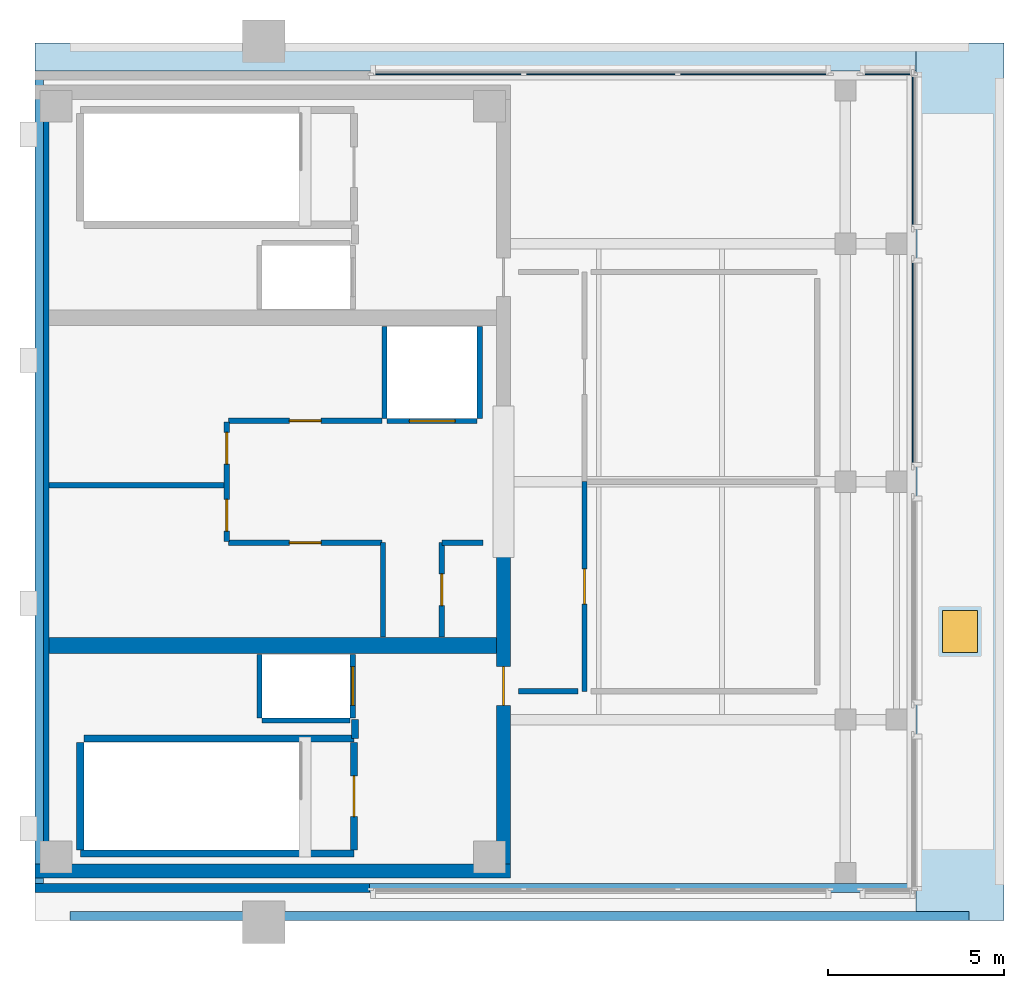
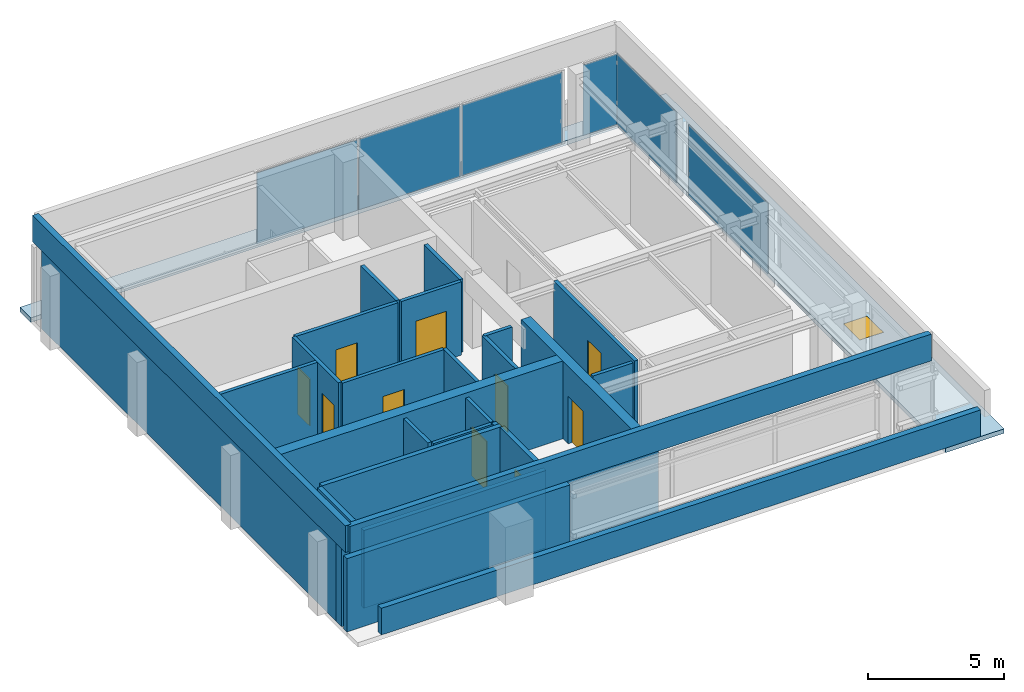
# One storey, part 3 of 5: 28 walls, 10 doors, 6 plates, 2 slabs, 1 window, 11 openings, 4 elements without a shape of their own.
"""IFC4 building model written with IfcOpenShell, lengths in metres."""

from ifc_helpers import new_model, si_unit, direction, frame, frame_2d, origin, origin_2d, place, context, subcontext, project, spatial, polyline, rectangle, outline, extrude, material, layer, layer_set, type_object, element, fill, aggregate, save


model = new_model("IFC4")

# Units and contexts
model_context = context("Model", 3, precision=1e-05, world=origin(), true_north=direction((0.0, 1.0)))
body_context = subcontext(model_context, "Body", "Model", "MODEL_VIEW")
ifc_project = project(units=[si_unit("LENGTHUNIT", "METRE"), si_unit("AREAUNIT", "SQUARE_METRE"), si_unit("VOLUMEUNIT", "CUBIC_METRE"), si_unit("PLANEANGLEUNIT", "RADIAN"), si_unit("MASSUNIT", "GRAM", prefix="KILO")], contexts=[model_context])

# Site, building, storey
site_placement = place(None, origin())
site = spatial("IfcSite", under=ifc_project, at=site_placement, CompositionType="ELEMENT")
building_placement = place(site_placement, origin())
building = spatial("IfcBuilding", under=site, at=building_placement, Name="Kinhvarn Gate Tower", CompositionType="ELEMENT")
storey_placement = place(building_placement, frame((0.0, 0.0, 321.550048828125)))
storey = spatial("IfcBuildingStorey", under=building, at=storey_placement, Name="L85", CompositionType="ELEMENT", Elevation=321.550048828125)

# Curtain wall, plate
ifc_material_1 = material(Name="Anodised aluminium AW-6063", Category="aluminium")
ifc_layer_1 = layer(ifc_material_1, 0.199951171875)
ifc_layer_set_1 = layer_set([ifc_layer_1], Name="Anodised aluminium AW-6063")
curtain_wall_type = type_object("IfcCurtainWallType", Name="CW-SYS-6", PredefinedType="NOTDEFINED", material=ifc_layer_set_1)
curtain_wall_1_placement = place(storey_placement, origin())
curtain_wall_1 = element("IfcCurtainWall", 1, at=curtain_wall_1_placement, inside=storey, type_object=curtain_wall_type, Name="Curtain Wall CW6 (L85)", PredefinedType="NOTDEFINED")
ifc_material_2 = material(Name="Clear low-e double glazing", Category="glass")
ifc_layer_2 = layer(ifc_material_2, 0.031982421875)
ifc_layer_set_2 = layer_set([ifc_layer_2], Name="Clear low-e double glazing")
plate_type = type_object("IfcPlateType", Name="CW-PNL-VIS", PredefinedType="CURTAIN_PANEL", material=ifc_layer_set_2)
plate_1_placement = place(storey_placement, frame((28.68994140625, 36.81005859375, 0.06494140625), z_axis=(0.0, 0.0, 1.0), x_axis=(-1.0, 0.0, 0.0)))
plate_1 = element("IfcPlate", 2, at=plate_1_placement, type_object=plate_type, Name="CW6 panel 1.1", PredefinedType="CURTAIN_PANEL", context=body_context, shape_type="SweptSolid", body=[
    extrude(rectangle(XDim=1.489990234375, YDim=0.031982421875, at=origin_2d()), origin(), (0.0, 0.0, 1.0), 3.169921875),
])
aggregate(curtain_wall_1, [plate_1])

# Curtain wall, plates
curtain_wall_2_placement = place(storey_placement, origin())
curtain_wall_2 = element("IfcCurtainWall", 3, at=curtain_wall_2_placement, inside=storey, type_object=curtain_wall_type, Name="Curtain Wall CW6 (L85)", PredefinedType="NOTDEFINED")
plate_2_placement = place(storey_placement, frame((24.9169921875, 36.81005859375, 0.06494140625), z_axis=(0.0, 0.0, 1.0), x_axis=(-1.0, 0.0, 0.0)))
plate_2 = element("IfcPlate", 4, at=plate_2_placement, type_object=plate_type, Name="CW6 panel 1.1", PredefinedType="CURTAIN_PANEL", context=body_context, shape_type="SweptSolid", body=[
    extrude(rectangle(XDim=4.27587890625, YDim=0.031982421875, at=origin_2d()), origin(), (0.0, 0.0, 1.0), 3.169921875),
])
plate_3_placement = place(storey_placement, frame((20.56005859375, 36.81005859375, 0.06494140625), z_axis=(0.0, 0.0, 1.0), x_axis=(-1.0, 0.0, 0.0)))
plate_3 = element("IfcPlate", 5, at=plate_3_placement, type_object=plate_type, Name="CW6 panel 2.1", PredefinedType="CURTAIN_PANEL", context=body_context, shape_type="SweptSolid", body=[
    extrude(rectangle(XDim=4.308349609375, YDim=0.031982421875, at=origin_2d()), origin(), (0.0, 0.0, 1.0), 3.169921875),
])
plate_4_placement = place(storey_placement, frame((16.202880859375, 36.81005859375, 0.06494140625), z_axis=(0.0, 0.0, 1.0), x_axis=(-1.0, 0.0, 0.0)))
plate_4 = element("IfcPlate", 6, at=plate_4_placement, type_object=plate_type, Name="CW6 panel 3.1", PredefinedType="CURTAIN_PANEL", context=body_context, shape_type="SweptSolid", body=[
    extrude(rectangle(XDim=4.27587890625, YDim=0.031982421875, at=origin_2d()), origin(), (0.0, 0.0, 1.0), 3.169921875),
])
aggregate(curtain_wall_2, [plate_2, plate_3, plate_4])

# Curtain wall, plate
curtain_wall_3_placement = place(storey_placement, origin())
curtain_wall_3 = element("IfcCurtainWall", 7, at=curtain_wall_3_placement, inside=storey, type_object=curtain_wall_type, Name="Curtain Wall CW6 (L85)", PredefinedType="NOTDEFINED")
plate_5_placement = place(storey_placement, frame((29.409912109375, 28.625, 0.06494140625), z_axis=(0.0, 0.0, 1.0), x_axis=(0.0, 1.0, 0.0)))
plate_5 = element("IfcPlate", 8, at=plate_5_placement, type_object=plate_type, Name="CW6 panel 1.1", PredefinedType="CURTAIN_PANEL", context=body_context, shape_type="SweptSolid", body=[
    extrude(rectangle(XDim=5.860107421875, YDim=0.031982421875, at=origin_2d()), origin(), (0.0, 0.0, 1.0), 3.169921875),
])
aggregate(curtain_wall_3, [plate_5])

curtain_wall_4_placement = place(storey_placement, origin())
curtain_wall_4 = element("IfcCurtainWall", 9, at=curtain_wall_4_placement, inside=storey, type_object=curtain_wall_type, Name="Curtain Wall CW6 (L85)", PredefinedType="NOTDEFINED")
plate_6_placement = place(storey_placement, frame((29.409912109375, 34.639892578125, 0.06494140625), z_axis=(0.0, 0.0, 1.0), x_axis=(0.0, 1.0, 0.0)))
plate_6 = element("IfcPlate", 10, at=plate_6_placement, type_object=plate_type, Name="CW6 panel 1.1", PredefinedType="CURTAIN_PANEL", context=body_context, shape_type="SweptSolid", body=[
    extrude(rectangle(XDim=4.389892578125, YDim=0.031982421875, at=origin_2d()), origin(), (0.0, 0.0, 1.0), 3.169921875),
])
aggregate(curtain_wall_4, [plate_6])

# Slab, opening, window
ifc_material_3 = material(Name="Concrete C50/60", Category="concrete")
ifc_layer_3 = layer(ifc_material_3, 0.199951171875)
ifc_layer_set_3 = layer_set([ifc_layer_3], Name="Concrete C50/60")
slab_type = type_object("IfcSlabType", Name="SLB-ROOF-200", PredefinedType="ROOF", material=ifc_layer_set_3)
slab_1_placement = place(storey_placement, frame((0.0, 0.0, -0.199951171875)))
slab_1 = element("IfcSlab", 11, at=slab_1_placement, inside=storey, type_object=slab_type, Name="Stepped Crown Ledge Roof Slab L85-E", PredefinedType="ROOF", context=body_context, shape_type="SweptSolid", body=[
    extrude(outline(polyline([(29.5, 12.800048828125), (29.5, 37.699951171875), (32.0, 37.699951171875), (32.0, 12.800048828125), (29.5, 12.800048828125)])), origin(), (0.0, 0.0, 1.0), 0.199951171875),
])
opening_1_placement = place(slab_1_placement, frame((30.75, 21.0, -0.010009765625)))
opening_1 = element("IfcOpeningElement", 12, at=opening_1_placement, cuts=slab_1, Name="Opening RH-01", PredefinedType="OPENING", context=body_context, shape_type="SweptSolid", body=[
    extrude(rectangle(XDim=1.0, YDim=1.199951171875, at=origin_2d()), origin(), (0.0, 0.0, 1.0), 0.219970703125),
])
window_type = type_object("IfcWindowType", Name="WIN-SKL-1200", PartitioningType="SINGLE_PANEL", PredefinedType="SKYLIGHT", material=ifc_material_2)
window_placement = place(slab_1_placement, frame((30.75, 21.0, 0.14990234375)))
window = element("IfcWindow", 13, at=window_placement, inside=storey, type_object=window_type, Name="Crown Ledge Maintenance Skylight Hatch RH-01 (L85)", OverallHeight=1.199951171875, OverallWidth=1.0, PartitioningType="SINGLE_PANEL", PredefinedType="SKYLIGHT", context=body_context, shape_type="SweptSolid", body=[
    extrude(rectangle(XDim=1.0, YDim=1.199951171875, at=origin_2d()), origin(), (0.0, 0.0, 1.0), 0.050048828125),
])
fill(opening_1, window)

# Slab
slab_2_placement = place(storey_placement, frame((0.0, 0.0, -0.199951171875)))
element("IfcSlab", 14, at=slab_2_placement, inside=storey, type_object=slab_type, Name="Stepped Crown Ledge Roof Slab L85-N", PredefinedType="ROOF", context=body_context, shape_type="SweptSolid", body=[
    extrude(outline(polyline([(29.5, 37.699951171875), (29.5, 36.89990234375), (4.5, 36.89990234375), (4.5, 37.699951171875), (29.5, 37.699951171875)])), origin(), (0.0, 0.0, 1.0), 0.199951171875),
])

# Wall
ifc_layer_4 = layer(ifc_material_3, 0.39990234375)
ifc_layer_set_4 = layer_set([ifc_layer_4], Name="Concrete C50/60")
wall_type_1 = type_object("IfcWallType", Name="WL-CORE-400", PredefinedType="SHEAR", material=ifc_layer_set_4)
wall_1_placement = place(storey_placement, frame((4.5, 14.199951171875, 0.0), z_axis=(0.0, 0.0, 1.0), x_axis=(1.0, 0.0, 0.0)))
element("IfcWall", 15, at=wall_1_placement, inside=storey, type_object=wall_type_1, Name="Core South Shear Wall L85 400 mm", PredefinedType="SHEAR", context=body_context, shape_type="SweptSolid", body=[
    extrude(rectangle(XDim=13.5, YDim=0.39990234375, at=frame_2d((6.75, 0.0))), origin(), (0.0, 0.0, 1.0), 3.5),
])

# Wall, opening, door
wall_2_placement = place(storey_placement, frame((17.800048828125, 14.39990234375, 0.0), z_axis=(0.0, 0.0, 1.0), x_axis=(0.0, 1.0, 0.0)))
wall_2 = element("IfcWall", 16, at=wall_2_placement, inside=storey, type_object=wall_type_1, Name="Core East-South Shear Pier L85 400 mm", PredefinedType="SHEAR", context=body_context, shape_type="SweptSolid", body=[
    extrude(rectangle(XDim=9.050048828125, YDim=0.39990234375, at=frame_2d((4.52490234375, 0.0))), origin(), (0.0, 0.0, 1.0), 3.5),
])
opening_2_placement = place(wall_2_placement, frame((4.5, 0.0, 0.0)))
opening_2 = element("IfcOpeningElement", 17, at=opening_2_placement, cuts=wall_2, Name="Opening FD-02", PredefinedType="OPENING", context=body_context, shape_type="SweptSolid", body=[
    extrude(rectangle(XDim=1.10009765625, YDim=2.14990234375, at=frame_2d((0.550048828125, 1.074951171875))), frame((0.0, 0.2099609375, 0.0), z_axis=(0.0, -1.0, 0.0), x_axis=(1.0, 0.0, 0.0)), (0.0, 0.0, 1.0), 0.419921875),
])
door_type_1 = type_object("IfcDoorType", Name="DR-FD-1100", OperationType="NOTDEFINED", PredefinedType="DOOR", material=ifc_material_1)
door_1_placement = place(opening_2_placement, origin())
door_1 = element("IfcDoor", 18, at=door_1_placement, inside=storey, type_object=door_type_1, Name="Firefighting Lobby Core Door (L85)", OperationType="SINGLE_SWING_RIGHT", OverallHeight=2.14990234375, OverallWidth=1.10009765625, PredefinedType="DOOR", context=body_context, shape_type="SweptSolid", body=[
    extrude(rectangle(XDim=1.10009765625, YDim=2.14990234375, at=frame_2d((0.550048828125, 1.074951171875))), frame((0.0, 0.02490234375, 0.0), z_axis=(0.0, -1.0, 0.0), x_axis=(1.0, 0.0, 0.0)), (0.0, 0.0, 1.0), 0.050048828125),
])
fill(opening_2, door_1)

# Walls
ifc_layer_5 = layer(ifc_material_3, 0.449951171875)
ifc_layer_set_5 = layer_set([ifc_layer_5], Name="Concrete C50/60")
wall_type_2 = type_object("IfcWallType", Name="WL-CORE-450", PredefinedType="SHEAR", material=ifc_layer_set_5)
wall_3_placement = place(storey_placement, frame((4.89990234375, 20.60009765625, 0.0), z_axis=(0.0, 0.0, 1.0), x_axis=(1.0, 0.0, 0.0)))
element("IfcWall", 19, at=wall_3_placement, inside=storey, type_object=wall_type_2, Name="Core South Spine Shear Wall L85 450 mm", PredefinedType="SHEAR", context=body_context, shape_type="SweptSolid", body=[
    extrude(rectangle(XDim=12.7001953125, YDim=0.449951171875, at=frame_2d((6.35009765625, 0.0))), origin(), (0.0, 0.0, 1.0), 3.5),
])
ifc_layer_6 = layer(ifc_material_3, 0.39990234375)
ifc_layer_set_6 = layer_set([ifc_layer_6], Name="Concrete C50/60")
wall_type_3 = type_object("IfcWallType", Name="WL-COREX-400", PredefinedType="SHEAR", material=ifc_layer_set_6)
wall_4_placement = place(storey_placement, frame((4.699951171875, 14.39990234375, 0.0), z_axis=(0.0, 0.0, 1.0), x_axis=(0.0, 1.0, 0.0)))
element("IfcWall", 20, at=wall_4_placement, inside=storey, type_object=wall_type_3, Name="Core West Shear Wall L85 400 mm", PredefinedType="SHEAR", context=body_context, shape_type="SweptSolid", body=[
    extrude(rectangle(XDim=21.7001953125, YDim=0.39990234375, at=frame_2d((10.85009765625, 0.0))), origin(), (0.0, 0.0, 1.0), 3.5),
])
ifc_material_4 = material(Name="Fired architectural terracotta", Category="masonry")
ifc_layer_7 = layer(ifc_material_4, 0.25)
ifc_layer_set_7 = layer_set([ifc_layer_7], Name="Fired architectural terracotta")
wall_type_4 = type_object("IfcWallType", Name="WL-EXT-250", PredefinedType="SOLIDWALL", material=ifc_layer_set_7)
wall_5_placement = place(storey_placement, frame((4.5, 13.72509765625, 0.0), z_axis=(0.0, 0.0, 1.0), x_axis=(1.0, 0.0, 0.0)))
element("IfcWall", 21, at=wall_5_placement, inside=storey, type_object=wall_type_4, Name="Exterior Solidwall Wall EW-250 (L85 Crown-Core-S)", PredefinedType="SOLIDWALL", context=body_context, shape_type="SweptSolid", body=[
    extrude(rectangle(XDim=9.5, YDim=0.25, at=frame_2d((4.75, 0.0))), origin(), (0.0, 0.0, 1.0), 3.300048828125),
])
ifc_layer_8 = layer(ifc_material_4, 0.25)
ifc_layer_set_8 = layer_set([ifc_layer_8], Name="Fired architectural terracotta")
wall_type_5 = type_object("IfcWallType", Name="WL-PAR-250", PredefinedType="PARAPET", material=ifc_layer_set_8)
wall_6_placement = place(storey_placement, frame((5.5, 12.925048828125, 0.0), z_axis=(0.0, 0.0, 1.0), x_axis=(1.0, 0.0, 0.0)))
element("IfcWall", 22, at=wall_6_placement, inside=storey, type_object=wall_type_5, Name="Exterior Parapet Wall PRW-250 (L85 Crown-Step-Parapet-S)", PredefinedType="PARAPET", context=body_context, shape_type="SweptSolid", body=[
    extrude(rectangle(XDim=25.5, YDim=0.25, at=frame_2d((12.75, 0.0))), origin(), (0.0, 0.0, 1.0), 1.199951171875),
])
wall_7_placement = place(storey_placement, frame((4.625, 36.77490234375, 3.5), z_axis=(0.0, 0.0, 1.0), x_axis=(0.0, -1.0, 0.0)))
element("IfcWall", 23, at=wall_7_placement, inside=storey, type_object=wall_type_5, Name="Exterior Parapet Wall PRW-250 (L85 RF-Parapet-W)", PredefinedType="PARAPET", context=body_context, shape_type="SweptSolid", body=[
    extrude(rectangle(XDim=23.0498046875, YDim=0.25, at=frame_2d((11.52490234375, 0.0))), origin(), (0.0, 0.0, 1.0), 1.199951171875),
])
wall_8_placement = place(storey_placement, frame((4.625, 13.72509765625, 3.5), z_axis=(0.0, 0.0, 1.0), x_axis=(1.0, 0.0, 0.0)))
element("IfcWall", 24, at=wall_8_placement, inside=storey, type_object=wall_type_5, Name="Exterior Parapet Wall PRW-250 (L85 RF-Parapet-S)", PredefinedType="PARAPET", context=body_context, shape_type="SweptSolid", body=[
    extrude(rectangle(XDim=24.75, YDim=0.25, at=frame_2d((12.375, 0.0))), origin(), (0.0, 0.0, 1.0), 1.199951171875),
])
ifc_material_5 = material(Name="Gypsum acoustic partition board")
ifc_layer_9 = layer(ifc_material_5, 0.14990234375)
ifc_layer_set_9 = layer_set([ifc_layer_9], Name="Gypsum acoustic partition board")
wall_type_6 = type_object("IfcWallType", Name="WL-PRT-150F", PredefinedType="PARTITIONING", material=ifc_layer_set_9)
wall_9_placement = place(storey_placement, frame((4.89990234375, 25.14990234375, 0.0), z_axis=(0.0, 0.0, 1.0), x_axis=(1.0, 0.0, 0.0)))
element("IfcWall", 25, at=wall_9_placement, inside=storey, type_object=wall_type_6, Name="Interior Partition PW-150F (L85)", PredefinedType="PARTITIONING", context=body_context, shape_type="SweptSolid", body=[
    extrude(rectangle(XDim=5.050048828125, YDim=0.14990234375, at=frame_2d((2.52490234375, 0.0))), origin(), (0.0, 0.0, 1.0), 3.300048828125),
])

# Wall, openings, doors
wall_10_placement = place(storey_placement, frame((9.949951171875, 23.550048828125, 0.0), z_axis=(0.0, 0.0, 1.0), x_axis=(0.0, 1.0, 0.0)))
wall_10 = element("IfcWall", 26, at=wall_10_placement, inside=storey, type_object=wall_type_6, Name="Interior Partition PW-150F (L85)", PredefinedType="PARTITIONING", context=body_context, shape_type="SweptSolid", body=[
    extrude(rectangle(XDim=3.39990234375, YDim=0.14990234375, at=frame_2d((1.699951171875, 0.0))), origin(), (0.0, 0.0, 1.0), 3.300048828125),
])
opening_3_placement = place(wall_10_placement, frame((0.298095703125, 0.0, 0.0)))
opening_3 = element("IfcOpeningElement", 27, at=opening_3_placement, cuts=wall_10, Name="Opening FD-04", PredefinedType="OPENING", context=body_context, shape_type="SweptSolid", body=[
    extrude(rectangle(XDim=0.89990234375, YDim=2.10009765625, at=frame_2d((0.449951171875, 1.050048828125))), frame((0.0, 0.0849609375, 0.0), z_axis=(0.0, -1.0, 0.0), x_axis=(1.0, 0.0, 0.0)), (0.0, 0.0, 1.0), 0.169921875),
])
opening_4_placement = place(wall_10_placement, frame((2.201904296875, 0.0, 0.0)))
opening_4 = element("IfcOpeningElement", 28, at=opening_4_placement, cuts=wall_10, Name="Opening FD-04", PredefinedType="OPENING", context=body_context, shape_type="SweptSolid", body=[
    extrude(rectangle(XDim=0.89990234375, YDim=2.10009765625, at=frame_2d((0.449951171875, 1.050048828125))), frame((0.0, 0.0849609375, 0.0), z_axis=(0.0, -1.0, 0.0), x_axis=(1.0, 0.0, 0.0)), (0.0, 0.0, 1.0), 0.169921875),
])
door_type_2 = type_object("IfcDoorType", Name="DR-FD-900", OperationType="NOTDEFINED", PredefinedType="DOOR", material=ifc_material_1)
door_2_placement = place(opening_3_placement, origin())
door_2 = element("IfcDoor", 29, at=door_2_placement, inside=storey, type_object=door_type_2, Name="Rated Riser & Service Closet Fire Door 900x2100 mm (L85)", OperationType="SINGLE_SWING_LEFT", OverallHeight=2.10009765625, OverallWidth=0.89990234375, PredefinedType="DOOR", context=body_context, shape_type="SweptSolid", body=[
    extrude(rectangle(XDim=0.89990234375, YDim=2.10009765625, at=frame_2d((0.449951171875, 1.050048828125))), frame((0.0, 0.02490234375, 0.0), z_axis=(0.0, -1.0, 0.0), x_axis=(1.0, 0.0, 0.0)), (0.0, 0.0, 1.0), 0.050048828125),
])
fill(opening_3, door_2)
door_3_placement = place(opening_4_placement, origin())
door_3 = element("IfcDoor", 30, at=door_3_placement, inside=storey, type_object=door_type_2, Name="Rated Riser & Service Closet Fire Door 900x2100 mm (L85)", OperationType="SINGLE_SWING_RIGHT", OverallHeight=2.10009765625, OverallWidth=0.89990234375, PredefinedType="DOOR", context=body_context, shape_type="SweptSolid", body=[
    extrude(rectangle(XDim=0.89990234375, YDim=2.10009765625, at=frame_2d((0.449951171875, 1.050048828125))), frame((0.0, 0.02490234375, 0.0), z_axis=(0.0, -1.0, 0.0), x_axis=(1.0, 0.0, 0.0)), (0.0, 0.0, 1.0), 0.050048828125),
])
fill(opening_4, door_3)

# Wall, opening, door
wall_11_placement = place(storey_placement, frame((10.0, 23.52001953125, 0.0), z_axis=(0.0, 0.0, 1.0), x_axis=(1.0, 0.0, 0.0)))
wall_11 = element("IfcWall", 31, at=wall_11_placement, inside=storey, type_object=wall_type_6, Name="Interior Partition PW-150F (L85)", PredefinedType="PARTITIONING", context=body_context, shape_type="SweptSolid", body=[
    extrude(rectangle(XDim=4.35009765625, YDim=0.14990234375, at=frame_2d((2.175048828125, 0.0))), origin(), (0.0, 0.0, 1.0), 3.300048828125),
])
opening_5_placement = place(wall_11_placement, frame((1.72509765625, 0.0, 0.0)))
opening_5 = element("IfcOpeningElement", 32, at=opening_5_placement, cuts=wall_11, Name="Opening FD-04", PredefinedType="OPENING", context=body_context, shape_type="SweptSolid", body=[
    extrude(rectangle(XDim=0.89990234375, YDim=2.10009765625, at=frame_2d((0.449951171875, 1.050048828125))), frame((0.0, 0.0849609375, 0.0), z_axis=(0.0, -1.0, 0.0), x_axis=(1.0, 0.0, 0.0)), (0.0, 0.0, 1.0), 0.169921875),
])
door_4_placement = place(opening_5_placement, origin())
door_4 = element("IfcDoor", 33, at=door_4_placement, inside=storey, type_object=door_type_2, Name="Rated Riser & Service Closet Fire Door 900x2100 mm (L85)", OperationType="SINGLE_SWING_LEFT", OverallHeight=2.10009765625, OverallWidth=0.89990234375, PredefinedType="DOOR", context=body_context, shape_type="SweptSolid", body=[
    extrude(rectangle(XDim=0.89990234375, YDim=2.10009765625, at=frame_2d((0.449951171875, 1.050048828125))), frame((0.0, 0.02490234375, 0.0), z_axis=(0.0, -1.0, 0.0), x_axis=(1.0, 0.0, 0.0)), (0.0, 0.0, 1.0), 0.050048828125),
])
fill(opening_5, door_4)

wall_12_placement = place(storey_placement, frame((10.0, 26.97998046875, 0.0), z_axis=(0.0, 0.0, 1.0), x_axis=(1.0, 0.0, 0.0)))
wall_12 = element("IfcWall", 34, at=wall_12_placement, inside=storey, type_object=wall_type_6, Name="Interior Partition PW-150F (L85)", PredefinedType="PARTITIONING", context=body_context, shape_type="SweptSolid", body=[
    extrude(rectangle(XDim=4.35009765625, YDim=0.14990234375, at=frame_2d((2.175048828125, 0.0))), origin(), (0.0, 0.0, 1.0), 3.300048828125),
])
opening_6_placement = place(wall_12_placement, frame((1.72509765625, 0.0, 0.0)))
opening_6 = element("IfcOpeningElement", 35, at=opening_6_placement, cuts=wall_12, Name="Opening FD-04", PredefinedType="OPENING", context=body_context, shape_type="SweptSolid", body=[
    extrude(rectangle(XDim=0.89990234375, YDim=2.10009765625, at=frame_2d((0.449951171875, 1.050048828125))), frame((0.0, 0.0849609375, 0.0), z_axis=(0.0, -1.0, 0.0), x_axis=(1.0, 0.0, 0.0)), (0.0, 0.0, 1.0), 0.169921875),
])
door_5_placement = place(opening_6_placement, origin())
door_5 = element("IfcDoor", 36, at=door_5_placement, inside=storey, type_object=door_type_2, Name="Rated Riser & Service Closet Fire Door 900x2100 mm (L85)", OperationType="SINGLE_SWING_RIGHT", OverallHeight=2.10009765625, OverallWidth=0.89990234375, PredefinedType="DOOR", context=body_context, shape_type="SweptSolid", body=[
    extrude(rectangle(XDim=0.89990234375, YDim=2.10009765625, at=frame_2d((0.449951171875, 1.050048828125))), frame((0.0, 0.02490234375, 0.0), z_axis=(0.0, -1.0, 0.0), x_axis=(1.0, 0.0, 0.0)), (0.0, 0.0, 1.0), 0.050048828125),
])
fill(opening_6, door_5)

# Wall
wall_13_placement = place(storey_placement, frame((14.3798828125, 20.85009765625, 0.0), z_axis=(0.0, 0.0, 1.0), x_axis=(0.0, 1.0, 0.0)))
element("IfcWall", 37, at=wall_13_placement, inside=storey, type_object=wall_type_6, Name="Interior Partition PW-150F (L85)", PredefinedType="PARTITIONING", context=body_context, shape_type="SweptSolid", body=[
    extrude(rectangle(XDim=2.669921875, YDim=0.14990234375, at=frame_2d((1.3349609375, 0.0))), origin(), (0.0, 0.0, 1.0), 3.300048828125),
])

# Wall, opening, door
wall_14_placement = place(storey_placement, frame((16.050048828125, 20.85009765625, 0.0), z_axis=(0.0, 0.0, 1.0), x_axis=(0.0, 1.0, 0.0)))
wall_14 = element("IfcWall", 38, at=wall_14_placement, inside=storey, type_object=wall_type_6, Name="Interior Partition PW-150F (L85)", PredefinedType="PARTITIONING", context=body_context, shape_type="SweptSolid", body=[
    extrude(rectangle(XDim=2.669921875, YDim=0.14990234375, at=frame_2d((1.3349609375, 0.0))), origin(), (0.0, 0.0, 1.0), 3.300048828125),
])
opening_7_placement = place(wall_14_placement, frame((0.885009765625, 0.0, 0.0)))
opening_7 = element("IfcOpeningElement", 39, at=opening_7_placement, cuts=wall_14, Name="Opening FD-04", PredefinedType="OPENING", context=body_context, shape_type="SweptSolid", body=[
    extrude(rectangle(XDim=0.89990234375, YDim=2.10009765625, at=frame_2d((0.449951171875, 1.050048828125))), frame((0.0, 0.0849609375, 0.0), z_axis=(0.0, -1.0, 0.0), x_axis=(1.0, 0.0, 0.0)), (0.0, 0.0, 1.0), 0.169921875),
])
door_6_placement = place(opening_7_placement, origin())
door_6 = element("IfcDoor", 40, at=door_6_placement, inside=storey, type_object=door_type_2, Name="Rated Riser & Service Closet Fire Door 900x2100 mm (L85)", OperationType="SINGLE_SWING_LEFT", OverallHeight=2.10009765625, OverallWidth=0.89990234375, PredefinedType="DOOR", context=body_context, shape_type="SweptSolid", body=[
    extrude(rectangle(XDim=0.89990234375, YDim=2.10009765625, at=frame_2d((0.449951171875, 1.050048828125))), frame((0.0, 0.02490234375, 0.0), z_axis=(0.0, -1.0, 0.0), x_axis=(1.0, 0.0, 0.0)), (0.0, 0.0, 1.0), 0.050048828125),
])
fill(opening_7, door_6)

# Wall
wall_15_placement = place(storey_placement, frame((16.050048828125, 23.52001953125, 0.0), z_axis=(0.0, 0.0, 1.0), x_axis=(1.0, 0.0, 0.0)))
element("IfcWall", 41, at=wall_15_placement, inside=storey, type_object=wall_type_6, Name="Interior Partition PW-150F (L85)", PredefinedType="PARTITIONING", context=body_context, shape_type="SweptSolid", body=[
    extrude(rectangle(XDim=1.169921875, YDim=0.14990234375, at=frame_2d((0.5849609375, 0.0))), origin(), (0.0, 0.0, 1.0), 3.300048828125),
])

# Wall, opening, door
wall_16_placement = place(storey_placement, frame((20.10009765625, 19.300048828125, 0.0), z_axis=(0.0, 0.0, 1.0), x_axis=(0.0, 1.0, 0.0)))
wall_16 = element("IfcWall", 42, at=wall_16_placement, inside=storey, type_object=wall_type_6, Name="Interior Partition PW-150F (L85)", PredefinedType="PARTITIONING", context=body_context, shape_type="SweptSolid", body=[
    extrude(rectangle(XDim=5.949951171875, YDim=0.14990234375, at=frame_2d((2.97509765625, 0.0))), origin(), (0.0, 0.0, 1.0), 3.300048828125),
])
opening_8_placement = place(wall_16_placement, frame((2.47509765625, 0.0, 0.0)))
opening_8 = element("IfcOpeningElement", 43, at=opening_8_placement, cuts=wall_16, Name="Opening FD-03", PredefinedType="OPENING", context=body_context, shape_type="SweptSolid", body=[
    extrude(rectangle(XDim=1.0, YDim=2.14990234375, at=frame_2d((0.5, 1.074951171875))), frame((0.0, 0.0849609375, 0.0), z_axis=(0.0, -1.0, 0.0), x_axis=(1.0, 0.0, 0.0)), (0.0, 0.0, 1.0), 0.169921875),
])
door_type_3 = type_object("IfcDoorType", Name="DR-FD-1000", OperationType="NOTDEFINED", PredefinedType="DOOR", material=ifc_material_1)
door_7_placement = place(opening_8_placement, origin())
door_7 = element("IfcDoor", 44, at=door_7_placement, inside=storey, type_object=door_type_3, Name="Rated Plant & Corridor Fire Door 1000x2150 mm (L85)", OperationType="SINGLE_SWING_RIGHT", OverallHeight=2.14990234375, OverallWidth=1.0, PredefinedType="DOOR", context=body_context, shape_type="SweptSolid", body=[
    extrude(rectangle(XDim=1.0, YDim=2.14990234375, at=frame_2d((0.5, 1.074951171875))), frame((0.0, 0.02490234375, 0.0), z_axis=(0.0, -1.0, 0.0), x_axis=(1.0, 0.0, 0.0)), (0.0, 0.0, 1.0), 0.050048828125),
])
fill(opening_8, door_7)

# Walls
wall_17_placement = place(storey_placement, frame((19.919921875, 19.300048828125, 0.0), z_axis=(0.0, 0.0, 1.0), x_axis=(-1.0, 0.0, 0.0)))
element("IfcWall", 45, at=wall_17_placement, inside=storey, type_object=wall_type_6, Name="Interior Partition PW-150F (L85)", PredefinedType="PARTITIONING", context=body_context, shape_type="SweptSolid", body=[
    extrude(rectangle(XDim=1.699951171875, YDim=0.14990234375, at=frame_2d((0.85009765625, 0.0))), origin(), (0.0, 0.0, 1.0), 3.300048828125),
])
ifc_layer_10 = layer(ifc_material_5, 0.199951171875)
ifc_layer_set_10 = layer_set([ifc_layer_10], Name="Gypsum acoustic partition board")
wall_type_7 = type_object("IfcWallType", Name="WL-PRT-200", PredefinedType="PARTITIONING", material=ifc_layer_set_10)
wall_18_placement = place(storey_placement, frame((13.580078125, 17.9599609375, 0.0), z_axis=(0.0, 0.0, 1.0), x_axis=(0.0, 1.0, 0.0)))
element("IfcWall", 46, at=wall_18_placement, inside=storey, type_object=wall_type_7, Name="Interior Partition PW-200 (L85)", PredefinedType="PARTITIONING", context=body_context, shape_type="SweptSolid", body=[
    extrude(rectangle(XDim=0.5400390625, YDim=0.199951171875, at=frame_2d((0.27001953125, 0.0))), origin(), (0.0, 0.0, 1.0), 3.300048828125),
])

# Wall, opening, door
ifc_layer_11 = layer(ifc_material_5, 0.14990234375)
ifc_layer_set_11 = layer_set([ifc_layer_11], Name="Gypsum acoustic partition board")
wall_type_8 = type_object("IfcWallType", Name="WL-SHF-150", PredefinedType="PARTITIONING", material=ifc_layer_set_11)
wall_19_placement = place(storey_placement, frame((14.5, 26.97509765625, 0.0), z_axis=(0.0, 0.0, 1.0), x_axis=(1.0, 0.0, 0.0)))
wall_19 = element("IfcWall", 47, at=wall_19_placement, inside=storey, type_object=wall_type_8, Name="Elevator SV-01 Landing Wall (L85)", PredefinedType="PARTITIONING", context=body_context, shape_type="SweptSolid", body=[
    extrude(rectangle(XDim=2.550048828125, YDim=0.14990234375, at=frame_2d((1.27490234375, 0.0))), origin(), (0.0, 0.0, 1.0), 3.300048828125),
])
opening_9_placement = place(wall_19_placement, frame((0.625, 0.0, 0.0)))
opening_9 = element("IfcOpeningElement", 48, at=opening_9_placement, cuts=wall_19, Name="Opening LD-02", PredefinedType="OPENING", context=body_context, shape_type="SweptSolid", body=[
    extrude(rectangle(XDim=1.300048828125, YDim=2.199951171875, at=frame_2d((0.64990234375, 1.10009765625))), frame((0.0, 0.0849609375, 0.0), z_axis=(0.0, -1.0, 0.0), x_axis=(1.0, 0.0, 0.0)), (0.0, 0.0, 1.0), 0.169921875),
])
door_type_4 = type_object("IfcDoorType", Name="DR-LND-SRV", OperationType="NOTDEFINED", PredefinedType="DOOR", material=ifc_material_1)
door_8_placement = place(opening_9_placement, origin())
door_8 = element("IfcDoor", 49, at=door_8_placement, inside=storey, type_object=door_type_4, Name="Elevator SV-01 Sliding Landing Door (L85)", OperationType="DOUBLE_DOOR_SLIDING", OverallHeight=2.199951171875, OverallWidth=1.300048828125, PredefinedType="DOOR", context=body_context, shape_type="SweptSolid", body=[
    extrude(rectangle(XDim=1.300048828125, YDim=2.199951171875, at=frame_2d((0.64990234375, 1.10009765625))), frame((0.0, 0.02490234375, 0.0), z_axis=(0.0, -1.0, 0.0), x_axis=(1.0, 0.0, 0.0)), (0.0, 0.0, 1.0), 0.050048828125),
])
fill(opening_9, door_8)

# Walls
for number, where, z_axis, x_axis, name in (
    (50, (14.425048828125, 27.050048828125, 0.0), (0.0, 0.0, 1.0), (0.0, 1.0, 0.0), "Elevator SV-01 Hoistway Wall W (L85)"),
    (51, (17.125, 27.050048828125, 0.0), (0.0, 0.0, 1.0), (0.0, 1.0, 0.0), "Elevator SV-01 Hoistway Wall E (L85)"),
):
    element("IfcWall", number, at=place(storey_placement, frame(where, z_axis=z_axis, x_axis=x_axis)), inside=storey, type_object=wall_type_8, Name=name, PredefinedType="PARTITIONING", context=body_context, shape_type="SweptSolid", body=[
        extrude(rectangle(XDim=2.599853515625, YDim=0.14990234375, at=frame_2d((1.2998046875, 0.0))), origin(), (0.0, 0.0, 1.0), 3.300048828125),
    ])
wall_20_placement = place(storey_placement, frame((10.949951171875, 18.47509765625, 0.0), z_axis=(0.0, 0.0, 1.0), x_axis=(1.0, 0.0, 0.0)))
element("IfcWall", 52, at=wall_20_placement, inside=storey, type_object=wall_type_8, Name="Elevator FF1 Hoistway Wall S (L85)", PredefinedType="PARTITIONING", context=body_context, shape_type="SweptSolid", body=[
    extrude(rectangle(XDim=2.5, YDim=0.14990234375, at=frame_2d((1.25, 0.0))), origin(), (0.0, 0.0, 1.0), 3.300048828125),
])
wall_21_placement = place(storey_placement, frame((10.875, 18.550048828125, 0.0), z_axis=(0.0, 0.0, 1.0), x_axis=(0.0, 1.0, 0.0)))
element("IfcWall", 53, at=wall_21_placement, inside=storey, type_object=wall_type_8, Name="Elevator FF1 Hoistway Wall W (L85)", PredefinedType="PARTITIONING", context=body_context, shape_type="SweptSolid", body=[
    extrude(rectangle(XDim=1.800048828125, YDim=0.14990234375, at=frame_2d((0.89990234375, 0.0))), origin(), (0.0, 0.0, 1.0), 3.300048828125),
])

# Wall, opening, door
wall_22_placement = place(storey_placement, frame((13.52490234375, 18.550048828125, 0.0), z_axis=(0.0, 0.0, 1.0), x_axis=(0.0, 1.0, 0.0)))
wall_22 = element("IfcWall", 54, at=wall_22_placement, inside=storey, type_object=wall_type_8, Name="Elevator FF1 Landing Wall (L85)", PredefinedType="PARTITIONING", context=body_context, shape_type="SweptSolid", body=[
    extrude(rectangle(XDim=1.800048828125, YDim=0.14990234375, at=frame_2d((0.89990234375, 0.0))), origin(), (0.0, 0.0, 1.0), 3.300048828125),
])
opening_10_placement = place(wall_22_placement, frame((0.35009765625, 0.0, 0.0)))
opening_10 = element("IfcOpeningElement", 55, at=opening_10_placement, cuts=wall_22, Name="Opening LD-03", PredefinedType="OPENING", context=body_context, shape_type="SweptSolid", body=[
    extrude(rectangle(XDim=1.10009765625, YDim=2.199951171875, at=frame_2d((0.550048828125, 1.10009765625))), frame((0.0, 0.0849609375, 0.0), z_axis=(0.0, -1.0, 0.0), x_axis=(1.0, 0.0, 0.0)), (0.0, 0.0, 1.0), 0.169921875),
])
door_type_5 = type_object("IfcDoorType", Name="DR-LND-FF", OperationType="NOTDEFINED", PredefinedType="DOOR", material=ifc_material_1)
door_9_placement = place(opening_10_placement, origin())
door_9 = element("IfcDoor", 56, at=door_9_placement, inside=storey, type_object=door_type_5, Name="Elevator FF1 Sliding Landing Door (L85)", OperationType="DOUBLE_DOOR_SLIDING", OverallHeight=2.199951171875, OverallWidth=1.10009765625, PredefinedType="DOOR", context=body_context, shape_type="SweptSolid", body=[
    extrude(rectangle(XDim=1.10009765625, YDim=2.199951171875, at=frame_2d((0.550048828125, 1.10009765625))), frame((0.0, 0.02490234375, 0.0), z_axis=(0.0, -1.0, 0.0), x_axis=(1.0, 0.0, 0.0)), (0.0, 0.0, 1.0), 0.050048828125),
])
fill(opening_10, door_9)

# Walls
ifc_material_6 = material(Name="Concrete C40/50", Category="concrete")
ifc_layer_12 = layer(ifc_material_6, 0.199951171875)
ifc_layer_set_12 = layer_set([ifc_layer_12], Name="Concrete C40/50")
wall_type_9 = type_object("IfcWallType", Name="WL-SHF-200", PredefinedType="SOLIDWALL", material=ifc_layer_set_12)
wall_23_placement = place(storey_placement, frame((5.800048828125, 14.699951171875, 0.0), z_axis=(0.0, 0.0, 1.0), x_axis=(1.0, 0.0, 0.0)))
element("IfcWall", 57, at=wall_23_placement, inside=storey, type_object=wall_type_9, Name="Stair ST1 South Shaft Wall (L85)", PredefinedType="SOLIDWALL", context=body_context, shape_type="SweptSolid", body=[
    extrude(rectangle(XDim=7.75, YDim=0.199951171875, at=frame_2d((3.875, 0.0))), origin(), (0.0, 0.0, 1.0), 3.5),
])
wall_24_placement = place(storey_placement, frame((5.7900390625, 14.800048828125, 0.0), z_axis=(0.0, 0.0, 1.0), x_axis=(0.0, 1.0, 0.0)))
element("IfcWall", 58, at=wall_24_placement, inside=storey, type_object=wall_type_9, Name="Stair ST1 West Shaft Wall (L85)", PredefinedType="SOLIDWALL", context=body_context, shape_type="SweptSolid", body=[
    extrude(rectangle(XDim=3.050048828125, YDim=0.199951171875, at=frame_2d((1.52490234375, 0.0))), origin(), (0.0, 0.0, 1.0), 3.5),
])
wall_25_placement = place(storey_placement, frame((5.89990234375, 17.9599609375, 0.0), z_axis=(0.0, 0.0, 1.0), x_axis=(1.0, 0.0, 0.0)))
element("IfcWall", 59, at=wall_25_placement, inside=storey, type_object=wall_type_9, Name="Stair ST1 North Shaft Wall (L85)", PredefinedType="SOLIDWALL", context=body_context, shape_type="SweptSolid", body=[
    extrude(rectangle(XDim=7.66015625, YDim=0.199951171875, at=frame_2d((3.830078125, 0.0))), origin(), (0.0, 0.0, 1.0), 3.5),
])

# Wall, opening, door
wall_26_placement = place(storey_placement, frame((13.56005859375, 14.800048828125, 0.0), z_axis=(0.0, 0.0, 1.0), x_axis=(0.0, 1.0, 0.0)))
wall_26 = element("IfcWall", 60, at=wall_26_placement, inside=storey, type_object=wall_type_9, Name="Stair ST1 East Entry Wall (L85)", PredefinedType="SOLIDWALL", context=body_context, shape_type="SweptSolid", body=[
    extrude(rectangle(XDim=3.050048828125, YDim=0.199951171875, at=frame_2d((1.52490234375, 0.0))), origin(), (0.0, 0.0, 1.0), 3.5),
])
opening_11_placement = place(wall_26_placement, frame((0.949951171875, 0.0, 0.0)))
opening_11 = element("IfcOpeningElement", 61, at=opening_11_placement, cuts=wall_26, Name="Opening FD-01", PredefinedType="OPENING", context=body_context, shape_type="SweptSolid", body=[
    extrude(rectangle(XDim=1.14990234375, YDim=2.14990234375, at=frame_2d((0.574951171875, 1.074951171875))), frame((0.0, 0.10986328125, 0.0), z_axis=(0.0, -1.0, 0.0), x_axis=(1.0, 0.0, 0.0)), (0.0, 0.0, 1.0), 0.219970703125),
])
door_type_6 = type_object("IfcDoorType", Name="DR-ST-1150", OperationType="NOTDEFINED", PredefinedType="DOOR", material=ifc_material_1)
door_10_placement = place(opening_11_placement, origin())
door_10 = element("IfcDoor", 62, at=door_10_placement, inside=storey, type_object=door_type_6, Name="Exit Stair ST1 Fire Door (L85)", OperationType="SINGLE_SWING_LEFT", OverallHeight=2.14990234375, OverallWidth=1.14990234375, PredefinedType="DOOR", context=body_context, shape_type="SweptSolid", body=[
    extrude(rectangle(XDim=1.14990234375, YDim=2.14990234375, at=frame_2d((0.574951171875, 1.074951171875))), frame((0.0, 0.02490234375, 0.0), z_axis=(0.0, -1.0, 0.0), x_axis=(1.0, 0.0, 0.0)), (0.0, 0.0, 1.0), 0.050048828125),
])
fill(opening_11, door_10)

save(model, "model.ifc")
